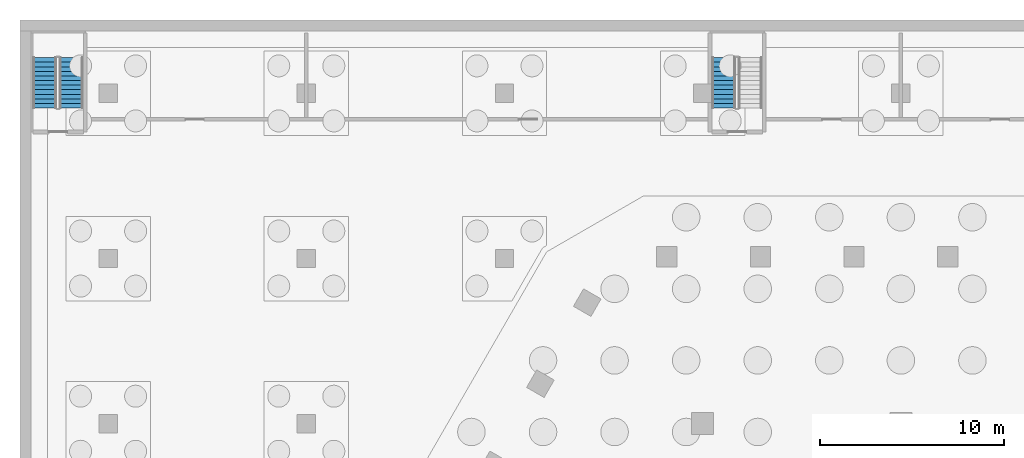
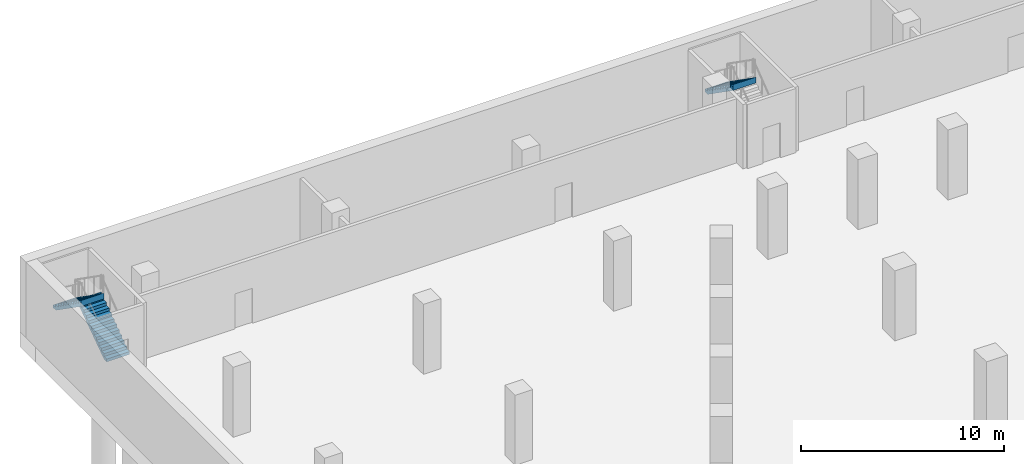
# One storey, part 14 of 21: 3 stair flights, 2 elements without a shape of their own.
"""IFC4 building model written with IfcOpenShell, lengths in metres."""

import ifcopenshell
import ifcopenshell.guid

model = None  # the IFC model being written
_history = None  # IfcOwnerHistory: only IFC2X3 demands one
_inside = {}  # id of a spatial element -> (the spatial element, [elements in it])
_under = {}  # id of a project, library or spatial element -> (it, [spatial elements below it])
_declared = {}  # id of a project -> (the project, [libraries it declares])
_typed = {}  # id of a type object -> (the type object, [elements of that type])
_made_of = {}  # id of a material, layer set ... -> (it, [elements and type objects made of it])


def new_model(schema):
    """Start an empty IFC model of exactly this schema.

    Asked for "IFC4X3", IfcOpenShell would pick the latest addendum, in which some entities
    have other attributes; the version numbers below select the first issue.
    IFC2X3 requires an IfcOwnerHistory on every rooted entity: one is made here for all.
    """
    global model, _history
    if schema == "IFC4X3":
        model = ifcopenshell.file(schema_version=(4, 3, 0, 0))
    else:
        model = ifcopenshell.file(schema=schema)
    _inside.clear()
    _under.clear()
    _declared.clear()
    _typed.clear()
    _made_of.clear()
    _history = None
    if model.schema == "IFC2X3":
        org = make("IfcOrganization", Name="unknown")
        user = make(
            "IfcPersonAndOrganization",
            ThePerson=make("IfcPerson", FamilyName="unknown"),
            TheOrganization=org,
        )
        app = make(
            "IfcApplication",
            ApplicationDeveloper=org,
            Version="unknown",
            ApplicationFullName="unknown",
            ApplicationIdentifier="unknown",
        )
        _history = make(
            "IfcOwnerHistory",
            OwningUser=user,
            OwningApplication=app,
            ChangeAction="ADDED",
            CreationDate=0,
        )
    return model


def make(cls, **values):
    """One entity of the class cls with the attributes given. An attribute that is None is left unset."""
    return model.create_entity(
        cls, **{name: value for name, value in values.items() if value is not None}
    )


def rooted(cls, **values):
    """An entity with a GlobalId (a new one), such as an element, a storey or a relation."""
    return make(cls, GlobalId=ifcopenshell.guid.new(), OwnerHistory=_history, **values)


def si_unit(unit_type, name, prefix=None):
    """IfcSIUnit, for example si_unit("LENGTHUNIT", "METRE", prefix="MILLI")."""
    return make("IfcSIUnit", UnitType=unit_type, Prefix=prefix, Name=name)


def assignment(units):
    """IfcUnitAssignment: the units of a project."""
    return None if units is None else make("IfcUnitAssignment", Units=units)


def point(xyz):
    """IfcCartesianPoint."""
    return None if xyz is None else make("IfcCartesianPoint", Coordinates=xyz)


def direction(xyz):
    """IfcDirection."""
    return None if xyz is None else make("IfcDirection", DirectionRatios=xyz)


def frame(location, z_axis=None, x_axis=None):
    """IfcAxis2Placement3D, a coordinate frame: its origin and axes. An axis left out is left unset."""
    return make(
        "IfcAxis2Placement3D",
        Location=point(location),
        Axis=direction(z_axis),
        RefDirection=direction(x_axis),
    )


def origin():
    """The frame at (0, 0, 0) with its axes left unset."""
    return frame((0.0, 0.0, 0.0))


def place(relative_to, where):
    """IfcLocalPlacement: puts the frame where relative to a parent placement (None: the world)."""
    return make(
        "IfcLocalPlacement", PlacementRelTo=relative_to, RelativePlacement=where
    )


def context(
    kind, dimensions, precision=None, world=None, true_north=None, identifier=None
):
    """IfcGeometricRepresentationContext, for example the 3D "Model" context."""
    return make(
        "IfcGeometricRepresentationContext",
        ContextIdentifier=identifier,
        ContextType=kind,
        CoordinateSpaceDimension=dimensions,
        Precision=precision,
        WorldCoordinateSystem=world,
        TrueNorth=true_north,
    )


def subcontext(parent, identifier, kind, view, scale=None):
    """IfcGeometricRepresentationSubContext, for example "Body" below "Model"."""
    return make(
        "IfcGeometricRepresentationSubContext",
        ContextIdentifier=identifier,
        ContextType=kind,
        ParentContext=parent,
        TargetScale=scale,
        TargetView=view,
    )


def project(units=None, contexts=None):
    """IfcProject with its units and contexts."""
    return rooted(
        "IfcProject",
        Name="project",
        RepresentationContexts=contexts,
        UnitsInContext=assignment(units),
    )


def spatial(cls, under=None, at=None, **own):
    """A site, building, storey or space (cls), placed at a placement, below another one or the project."""
    s = rooted(cls, ObjectPlacement=at, **own)
    if under is not None:
        _under.setdefault(under.id(), (under, []))[1].append(s)
    return s


def point_list(points):
    """IfcCartesianPointList2D or 3D."""
    cls = (
        "IfcCartesianPointList2D" if len(points[0]) == 2 else "IfcCartesianPointList3D"
    )
    return make(cls, CoordList=points)


def triangles(points, corners, closed=None, point_numbers=None):
    """IfcTriangulatedFaceSet: each triangle names its three corners, points numbered from 1."""
    return make(
        "IfcTriangulatedFaceSet",
        Coordinates=point_list(points),
        Closed=closed,
        CoordIndex=corners,
        PnIndex=point_numbers,
    )


def shape(context_of_items, identifier, shape_type, items):
    """IfcShapeRepresentation: the items that make up one representation, for example the "Body"."""
    return make(
        "IfcShapeRepresentation",
        ContextOfItems=context_of_items,
        RepresentationIdentifier=identifier,
        RepresentationType=shape_type,
        Items=items,
    )


def material(Name=None, Category=None):
    """IfcMaterial."""
    return make("IfcMaterial", Name=Name, Category=Category)


def made_of(thing, what):
    """Note that an element or type object is made of a material, layer set ...; save() writes the relation."""
    if what is not None:
        _made_of.setdefault(what.id(), (what, []))[1].append(thing)
    return thing


def type_object(cls, material=None, **own):
    """A type object (cls), such as IfcWallType, which elements share."""
    return made_of(rooted(cls, **own), material)


def element(
    cls,
    number,
    at=None,
    inside=None,
    cuts=None,
    type_object=None,
    material=None,
    context=None,
    identifier="Body",
    shape_type=None,
    held_by="IfcProductDefinitionShape",
    body=None,
    shapes=None,
    **own,
):
    """One element of the class cls, such as IfcWall. Its Tag is "e" and its number.

    at: its placement. inside: the storey or other place that contains it. cuts: it is an
    opening in that element (IfcRelVoidsElement). A single representation is given by context,
    identifier, shape_type and body (its items); several are given by shapes. held_by: the class
    of the entity that holds the representations. save() writes the other relations.
    """
    e = rooted(cls, Tag="e%d" % number, ObjectPlacement=at, **own)
    if body is not None:
        shapes = [shape(context, identifier, shape_type, body)]
    if shapes is not None:
        e.Representation = make(held_by, Representations=shapes)
    if inside is not None:
        _inside.setdefault(inside.id(), (inside, []))[1].append(e)
    if cuts is not None:
        rooted(
            "IfcRelVoidsElement", RelatingBuildingElement=cuts, RelatedOpeningElement=e
        )
    if type_object is not None:
        _typed.setdefault(type_object.id(), (type_object, []))[1].append(e)
    return made_of(e, material)


def aggregate(whole, parts):
    """IfcRelAggregates: a whole, such as a stair, and the parts it consists of."""
    return rooted("IfcRelAggregates", RelatingObject=whole, RelatedObjects=parts)


def save(model, path):
    """Write the relations noted so far, then the file.

    IfcRelAggregates (storeys below a building ...), IfcRelContainedInSpatialStructure (elements
    in a storey), IfcRelDefinesByType, IfcRelAssociatesMaterial and IfcRelDeclares: one each for
    every whole, place, type object, material and project.
    """
    for whole, parts in _under.values():
        aggregate(whole, parts)
    for where, things in _inside.values():
        rooted(
            "IfcRelContainedInSpatialStructure",
            RelatedElements=things,
            RelatingStructure=where,
        )
    for kind, things in _typed.values():
        rooted("IfcRelDefinesByType", RelatedObjects=things, RelatingType=kind)
    for what, things in _made_of.values():
        rooted("IfcRelAssociatesMaterial", RelatedObjects=things, RelatingMaterial=what)
    for by, libraries in _declared.values():
        rooted("IfcRelDeclares", RelatingContext=by, RelatedDefinitions=libraries)
    model.write(path)


model = new_model("IFC4")

# Units and contexts
model_context = context("Model", 3, precision=1e-05, world=origin(), true_north=direction((0.0, 1.0)))
body_context = subcontext(model_context, "Body", "Model", "MODEL_VIEW")
ifc_project = project(units=[si_unit("LENGTHUNIT", "METRE"), si_unit("AREAUNIT", "SQUARE_METRE"), si_unit("VOLUMEUNIT", "CUBIC_METRE"), si_unit("PLANEANGLEUNIT", "RADIAN"), si_unit("MASSUNIT", "GRAM", prefix="KILO")], contexts=[model_context])

# Site, building, storey
site_placement = place(None, origin())
site = spatial("IfcSite", under=ifc_project, at=site_placement, CompositionType="ELEMENT")
building_placement = place(site_placement, origin())
building = spatial("IfcBuilding", under=site, at=building_placement, Name="Beryl Residences", CompositionType="ELEMENT")
storey_placement = place(building_placement, frame((0.0, 0.0, -8.39990234375)))
storey = spatial("IfcBuildingStorey", under=building, at=storey_placement, Name="B2", CompositionType="ELEMENT", Elevation=-8.39990234375)

# Stair, stair flights
ifc_material_1 = material(Name="Concrete C40/50", Category="concrete")
stair_type = type_object("IfcStairType", Name="ST1 protected exit stair, half-turn, 1300 mm flights", PredefinedType="HALF_TURN_STAIR", material=ifc_material_1)
stair_1_placement = place(storey_placement, origin())
stair_1 = element("IfcStair", 1, at=stair_1_placement, inside=storey, type_object=stair_type, Name="B2 Basement exit stair 1", PredefinedType="HALF_TURN_STAIR")
ifc_material_2 = material(Name="Concrete C40/50", Category="concrete")
stair_flight_type = type_object("IfcStairFlightType", Name="SF1 stair flight 1300 mm", PredefinedType="STRAIGHT", material=ifc_material_2)
stair_flight_1_placement = place(storey_placement, frame((-45.199951171875, 35.199951171875, 0.0), z_axis=(0.0, 0.0, 1.0), x_axis=(0.0, 1.0, 0.0)))
stair_flight_1 = element("IfcStairFlight", 2, at=stair_flight_1_placement, type_object=stair_flight_type, Name="BS-1 flight 1", NumberOfRisers=12, NumberOfTreads=11, PredefinedType="STRAIGHT", RiserHeight=0.175, TreadLength=0.25, context=body_context, shape_type="Tessellation", body=[
    triangles([(0.0, -0.64990234375, 0.0), (0.0, -0.324951171875, 0.0), (0.0, 0.0, 0.0), (0.0, 0.324951171875, 0.0), (0.0, 0.64990234375, 0.0), (0.0, -0.64990234375, 0.175048828125), (0.0, -0.324951171875, 0.175048828125), (0.0, 0.0, 0.175048828125), (0.0, 0.324951171875, 0.175048828125), (0.0, 0.64990234375, 0.175048828125), (0.25, -0.64990234375, 0.175048828125), (0.25, -0.324951171875, 0.175048828125), (0.25, 0.0, 0.175048828125), (0.25, 0.324951171875, 0.175048828125), (0.25, 0.64990234375, 0.175048828125), (0.25, -0.64990234375, 0.35009765625), (0.25, -0.324951171875, 0.35009765625), (0.25, 0.0, 0.35009765625), (0.25, 0.324951171875, 0.35009765625), (0.25, 0.64990234375, 0.35009765625), (0.5, -0.64990234375, 0.35009765625), (0.5, -0.324951171875, 0.35009765625), (0.5, 0.0, 0.35009765625), (0.5, 0.324951171875, 0.35009765625), (0.5, 0.64990234375, 0.35009765625), (0.5, -0.64990234375, 0.52490234375), (0.5, -0.324951171875, 0.52490234375), (0.5, 0.0, 0.52490234375), (0.5, 0.324951171875, 0.52490234375), (0.5, 0.64990234375, 0.52490234375), (0.75, -0.64990234375, 0.52490234375), (0.75, -0.324951171875, 0.52490234375), (0.75, 0.0, 0.52490234375), (0.75, 0.324951171875, 0.52490234375), (0.75, 0.64990234375, 0.52490234375), (0.75, -0.64990234375, 0.699951171875), (0.75, -0.324951171875, 0.699951171875), (0.75, 0.0, 0.699951171875), (0.75, 0.324951171875, 0.699951171875), (0.75, 0.64990234375, 0.699951171875), (1.0, -0.64990234375, 0.699951171875), (1.0, -0.324951171875, 0.699951171875), (1.0, 0.0, 0.699951171875), (1.0, 0.324951171875, 0.699951171875), (1.0, 0.64990234375, 0.699951171875), (1.0, -0.64990234375, 0.875), (1.0, -0.324951171875, 0.875), (1.0, 0.0, 0.875), (1.0, 0.324951171875, 0.875), (1.0, 0.64990234375, 0.875), (1.25, -0.64990234375, 0.875), (1.25, -0.324951171875, 0.875), (1.25, 0.0, 0.875), (1.25, 0.324951171875, 0.875), (1.25, 0.64990234375, 0.875), (1.25, -0.64990234375, 1.050048828125), (1.25, -0.324951171875, 1.050048828125), (1.25, 0.0, 1.050048828125), (1.25, 0.324951171875, 1.050048828125), (1.25, 0.64990234375, 1.050048828125), (1.5, -0.64990234375, 1.050048828125), (1.5, -0.324951171875, 1.050048828125), (1.5, 0.0, 1.050048828125), (1.5, 0.324951171875, 1.050048828125), (1.5, 0.64990234375, 1.050048828125), (1.5, -0.64990234375, 1.22509765625), (1.5, -0.324951171875, 1.22509765625), (1.5, 0.0, 1.22509765625), (1.5, 0.324951171875, 1.22509765625), (1.5, 0.64990234375, 1.22509765625), (1.75, -0.64990234375, 1.22509765625), (1.75, -0.324951171875, 1.22509765625), (1.75, 0.0, 1.22509765625), (1.75, 0.324951171875, 1.22509765625), (1.75, 0.64990234375, 1.22509765625), (1.75, -0.64990234375, 1.39990234375), (1.75, -0.324951171875, 1.39990234375), (1.75, 0.0, 1.39990234375), (1.75, 0.324951171875, 1.39990234375), (1.75, 0.64990234375, 1.39990234375), (2.0, -0.64990234375, 1.39990234375), (2.0, -0.324951171875, 1.39990234375), (2.0, 0.0, 1.39990234375), (2.0, 0.324951171875, 1.39990234375), (2.0, 0.64990234375, 1.39990234375), (2.0, -0.64990234375, 1.574951171875), (2.0, -0.324951171875, 1.574951171875), (2.0, 0.0, 1.574951171875), (2.0, 0.324951171875, 1.574951171875), (2.0, 0.64990234375, 1.574951171875), (2.25, -0.64990234375, 1.574951171875), (2.25, -0.324951171875, 1.574951171875), (2.25, 0.0, 1.574951171875), (2.25, 0.324951171875, 1.574951171875), (2.25, 0.64990234375, 1.574951171875), (2.25, -0.64990234375, 1.75), (2.25, -0.324951171875, 1.75), (2.25, 0.0, 1.75), (2.25, 0.324951171875, 1.75), (2.25, 0.64990234375, 1.75), (2.5, -0.64990234375, 1.75), (2.5, -0.324951171875, 1.75), (2.5, 0.0, 1.75), (2.5, 0.324951171875, 1.75), (2.5, 0.64990234375, 1.75), (2.5, -0.64990234375, 1.925048828125), (2.5, -0.324951171875, 1.925048828125), (2.5, 0.0, 1.925048828125), (2.5, 0.324951171875, 1.925048828125), (2.5, 0.64990234375, 1.925048828125), (2.75, -0.64990234375, 1.925048828125), (2.75, -0.324951171875, 1.925048828125), (2.75, 0.0, 1.925048828125), (2.75, 0.324951171875, 1.925048828125), (2.75, 0.64990234375, 1.925048828125), (2.75, -0.64990234375, 2.10009765625), (2.75, -0.324951171875, 2.10009765625), (2.75, 0.0, 2.10009765625), (2.75, 0.324951171875, 2.10009765625), (2.75, 0.64990234375, 2.10009765625), (2.7509765625, -0.64990234375, 2.10009765625), (2.7509765625, -0.324951171875, 2.10009765625), (2.7509765625, 0.0, 2.10009765625), (2.7509765625, 0.324951171875, 2.10009765625), (2.7509765625, 0.64990234375, 2.10009765625), (2.7509765625, -0.64990234375, 1.741943359375), (2.7509765625, -0.324951171875, 1.741943359375), (2.7509765625, 0.0, 1.741943359375), (2.7509765625, 0.324951171875, 1.741943359375), (2.7509765625, 0.64990234375, 1.741943359375), (0.262451171875, -0.64990234375, 0.0), (0.262451171875, -0.324951171875, 0.0), (0.262451171875, 0.0, 0.0), (0.262451171875, 0.324951171875, 0.0), (0.262451171875, 0.64990234375, 0.0)], [[1, 6, 7], [1, 7, 2], [2, 7, 8], [2, 8, 3], [3, 8, 9], [3, 9, 4], [4, 9, 10], [4, 10, 5], [6, 11, 12], [6, 12, 7], [7, 12, 13], [7, 13, 8], [8, 13, 14], [8, 14, 9], [9, 14, 15], [9, 15, 10], [11, 16, 17], [11, 17, 12], [12, 17, 18], [12, 18, 13], [13, 18, 19], [13, 19, 14], [14, 19, 20], [14, 20, 15], [16, 21, 22], [16, 22, 17], [17, 22, 23], [17, 23, 18], [18, 23, 24], [18, 24, 19], [19, 24, 25], [19, 25, 20], [21, 26, 27], [21, 27, 22], [22, 27, 28], [22, 28, 23], [23, 28, 29], [23, 29, 24], [24, 29, 30], [24, 30, 25], [26, 31, 32], [26, 32, 27], [27, 32, 33], [27, 33, 28], [28, 33, 34], [28, 34, 29], [29, 34, 35], [29, 35, 30], [31, 36, 37], [31, 37, 32], [32, 37, 38], [32, 38, 33], [33, 38, 39], [33, 39, 34], [34, 39, 40], [34, 40, 35], [36, 41, 42], [36, 42, 37], [37, 42, 43], [37, 43, 38], [38, 43, 44], [38, 44, 39], [39, 44, 45], [39, 45, 40], [41, 46, 47], [41, 47, 42], [42, 47, 48], [42, 48, 43], [43, 48, 49], [43, 49, 44], [44, 49, 50], [44, 50, 45], [46, 51, 52], [46, 52, 47], [47, 52, 53], [47, 53, 48], [48, 53, 54], [48, 54, 49], [49, 54, 55], [49, 55, 50], [51, 56, 57], [51, 57, 52], [52, 57, 58], [52, 58, 53], [53, 58, 59], [53, 59, 54], [54, 59, 60], [54, 60, 55], [56, 61, 62], [56, 62, 57], [57, 62, 63], [57, 63, 58], [58, 63, 64], [58, 64, 59], [59, 64, 65], [59, 65, 60], [61, 66, 67], [61, 67, 62], [62, 67, 68], [62, 68, 63], [63, 68, 69], [63, 69, 64], [64, 69, 70], [64, 70, 65], [66, 71, 72], [66, 72, 67], [67, 72, 73], [67, 73, 68], [68, 73, 74], [68, 74, 69], [69, 74, 75], [69, 75, 70], [71, 76, 77], [71, 77, 72], [72, 77, 78], [72, 78, 73], [73, 78, 79], [73, 79, 74], [74, 79, 80], [74, 80, 75], [76, 81, 82], [76, 82, 77], [77, 82, 83], [77, 83, 78], [78, 83, 84], [78, 84, 79], [79, 84, 85], [79, 85, 80], [81, 86, 87], [81, 87, 82], [82, 87, 88], [82, 88, 83], [83, 88, 89], [83, 89, 84], [84, 89, 90], [84, 90, 85], [86, 91, 92], [86, 92, 87], [87, 92, 93], [87, 93, 88], [88, 93, 94], [88, 94, 89], [89, 94, 95], [89, 95, 90], [91, 96, 97], [91, 97, 92], [92, 97, 98], [92, 98, 93], [93, 98, 99], [93, 99, 94], [94, 99, 100], [94, 100, 95], [96, 101, 102], [96, 102, 97], [97, 102, 103], [97, 103, 98], [98, 103, 104], [98, 104, 99], [99, 104, 105], [99, 105, 100], [101, 106, 107], [101, 107, 102], [102, 107, 108], [102, 108, 103], [103, 108, 109], [103, 109, 104], [104, 109, 110], [104, 110, 105], [106, 111, 112], [106, 112, 107], [107, 112, 113], [107, 113, 108], [108, 113, 114], [108, 114, 109], [109, 114, 115], [109, 115, 110], [111, 116, 117], [111, 117, 112], [112, 117, 118], [112, 118, 113], [113, 118, 119], [113, 119, 114], [114, 119, 120], [114, 120, 115], [116, 121, 122], [116, 122, 117], [117, 122, 123], [117, 123, 118], [118, 123, 124], [118, 124, 119], [119, 124, 125], [119, 125, 120], [121, 126, 127], [121, 127, 122], [122, 127, 128], [122, 128, 123], [123, 128, 129], [123, 129, 124], [124, 129, 130], [124, 130, 125], [126, 131, 132], [126, 132, 127], [127, 132, 133], [127, 133, 128], [128, 133, 134], [128, 134, 129], [129, 134, 135], [129, 135, 130], [131, 1, 2], [131, 2, 132], [132, 2, 3], [132, 3, 133], [133, 3, 4], [133, 4, 134], [134, 4, 5], [134, 5, 135], [1, 131, 126], [5, 130, 135], [126, 121, 116], [130, 120, 125], [126, 116, 111], [130, 115, 120], [126, 111, 106], [130, 110, 115], [126, 106, 101], [130, 105, 110], [126, 101, 96], [130, 100, 105], [126, 96, 91], [130, 95, 100], [91, 86, 81], [95, 85, 90], [126, 91, 81], [130, 85, 95], [81, 76, 71], [85, 75, 80], [126, 81, 71], [130, 75, 85], [71, 66, 61], [75, 65, 70], [126, 71, 61], [130, 65, 75], [61, 56, 51], [65, 55, 60], [126, 61, 51], [130, 55, 65], [51, 46, 41], [55, 45, 50], [126, 51, 41], [130, 45, 55], [41, 36, 31], [45, 35, 40], [126, 41, 31], [130, 35, 45], [1, 126, 31], [5, 35, 130], [31, 26, 21], [35, 25, 30], [21, 16, 11], [25, 15, 20], [31, 21, 11], [35, 15, 25], [1, 31, 11], [5, 15, 35], [11, 6, 1], [15, 5, 10]], closed=True),
])
stair_flight_2_placement = place(storey_placement, frame((-46.64990234375, 37.949951171875, 2.099853515625), z_axis=(0.0, 0.0, 1.0), x_axis=(0.0, -1.0, 0.0)))
stair_flight_2 = element("IfcStairFlight", 3, at=stair_flight_2_placement, type_object=stair_flight_type, Name="BS-1 flight 2", NumberOfRisers=12, NumberOfTreads=11, PredefinedType="STRAIGHT", RiserHeight=0.175, TreadLength=0.25, context=body_context, shape_type="Tessellation", body=[
    triangles([(0.0, -0.64990234375, 0.0), (0.0, -0.324951171875, 0.0), (0.0, 0.0, 0.0), (0.0, 0.324951171875, 0.0), (0.0, 0.64990234375, 0.0), (0.0, -0.64990234375, 0.175048828125), (0.0, -0.324951171875, 0.175048828125), (0.0, 0.0, 0.175048828125), (0.0, 0.324951171875, 0.175048828125), (0.0, 0.64990234375, 0.175048828125), (0.25, -0.64990234375, 0.175048828125), (0.25, -0.324951171875, 0.175048828125), (0.25, 0.0, 0.175048828125), (0.25, 0.324951171875, 0.175048828125), (0.25, 0.64990234375, 0.175048828125), (0.25, -0.64990234375, 0.35009765625), (0.25, -0.324951171875, 0.35009765625), (0.25, 0.0, 0.35009765625), (0.25, 0.324951171875, 0.35009765625), (0.25, 0.64990234375, 0.35009765625), (0.5, -0.64990234375, 0.35009765625), (0.5, -0.324951171875, 0.35009765625), (0.5, 0.0, 0.35009765625), (0.5, 0.324951171875, 0.35009765625), (0.5, 0.64990234375, 0.35009765625), (0.5, -0.64990234375, 0.52490234375), (0.5, -0.324951171875, 0.52490234375), (0.5, 0.0, 0.52490234375), (0.5, 0.324951171875, 0.52490234375), (0.5, 0.64990234375, 0.52490234375), (0.75, -0.64990234375, 0.52490234375), (0.75, -0.324951171875, 0.52490234375), (0.75, 0.0, 0.52490234375), (0.75, 0.324951171875, 0.52490234375), (0.75, 0.64990234375, 0.52490234375), (0.75, -0.64990234375, 0.699951171875), (0.75, -0.324951171875, 0.699951171875), (0.75, 0.0, 0.699951171875), (0.75, 0.324951171875, 0.699951171875), (0.75, 0.64990234375, 0.699951171875), (1.0, -0.64990234375, 0.699951171875), (1.0, -0.324951171875, 0.699951171875), (1.0, 0.0, 0.699951171875), (1.0, 0.324951171875, 0.699951171875), (1.0, 0.64990234375, 0.699951171875), (1.0, -0.64990234375, 0.875), (1.0, -0.324951171875, 0.875), (1.0, 0.0, 0.875), (1.0, 0.324951171875, 0.875), (1.0, 0.64990234375, 0.875), (1.25, -0.64990234375, 0.875), (1.25, -0.324951171875, 0.875), (1.25, 0.0, 0.875), (1.25, 0.324951171875, 0.875), (1.25, 0.64990234375, 0.875), (1.25, -0.64990234375, 1.050048828125), (1.25, -0.324951171875, 1.050048828125), (1.25, 0.0, 1.050048828125), (1.25, 0.324951171875, 1.050048828125), (1.25, 0.64990234375, 1.050048828125), (1.5, -0.64990234375, 1.050048828125), (1.5, -0.324951171875, 1.050048828125), (1.5, 0.0, 1.050048828125), (1.5, 0.324951171875, 1.050048828125), (1.5, 0.64990234375, 1.050048828125), (1.5, -0.64990234375, 1.22509765625), (1.5, -0.324951171875, 1.22509765625), (1.5, 0.0, 1.22509765625), (1.5, 0.324951171875, 1.22509765625), (1.5, 0.64990234375, 1.22509765625), (1.75, -0.64990234375, 1.22509765625), (1.75, -0.324951171875, 1.22509765625), (1.75, 0.0, 1.22509765625), (1.75, 0.324951171875, 1.22509765625), (1.75, 0.64990234375, 1.22509765625), (1.75, -0.64990234375, 1.39990234375), (1.75, -0.324951171875, 1.39990234375), (1.75, 0.0, 1.39990234375), (1.75, 0.324951171875, 1.39990234375), (1.75, 0.64990234375, 1.39990234375), (2.0, -0.64990234375, 1.39990234375), (2.0, -0.324951171875, 1.39990234375), (2.0, 0.0, 1.39990234375), (2.0, 0.324951171875, 1.39990234375), (2.0, 0.64990234375, 1.39990234375), (2.0, -0.64990234375, 1.574951171875), (2.0, -0.324951171875, 1.574951171875), (2.0, 0.0, 1.574951171875), (2.0, 0.324951171875, 1.574951171875), (2.0, 0.64990234375, 1.574951171875), (2.25, -0.64990234375, 1.574951171875), (2.25, -0.324951171875, 1.574951171875), (2.25, 0.0, 1.574951171875), (2.25, 0.324951171875, 1.574951171875), (2.25, 0.64990234375, 1.574951171875), (2.25, -0.64990234375, 1.75), (2.25, -0.324951171875, 1.75), (2.25, 0.0, 1.75), (2.25, 0.324951171875, 1.75), (2.25, 0.64990234375, 1.75), (2.5, -0.64990234375, 1.75), (2.5, -0.324951171875, 1.75), (2.5, 0.0, 1.75), (2.5, 0.324951171875, 1.75), (2.5, 0.64990234375, 1.75), (2.5, -0.64990234375, 1.925048828125), (2.5, -0.324951171875, 1.925048828125), (2.5, 0.0, 1.925048828125), (2.5, 0.324951171875, 1.925048828125), (2.5, 0.64990234375, 1.925048828125), (2.75, -0.64990234375, 1.925048828125), (2.75, -0.324951171875, 1.925048828125), (2.75, 0.0, 1.925048828125), (2.75, 0.324951171875, 1.925048828125), (2.75, 0.64990234375, 1.925048828125), (2.75, -0.64990234375, 2.10009765625), (2.75, -0.324951171875, 2.10009765625), (2.75, 0.0, 2.10009765625), (2.75, 0.324951171875, 2.10009765625), (2.75, 0.64990234375, 2.10009765625), (2.7509765625, -0.64990234375, 2.10009765625), (2.7509765625, -0.324951171875, 2.10009765625), (2.7509765625, 0.0, 2.10009765625), (2.7509765625, 0.324951171875, 2.10009765625), (2.7509765625, 0.64990234375, 2.10009765625), (2.7509765625, -0.64990234375, 1.741943359375), (2.7509765625, -0.324951171875, 1.741943359375), (2.7509765625, 0.0, 1.741943359375), (2.7509765625, 0.324951171875, 1.741943359375), (2.7509765625, 0.64990234375, 1.741943359375), (0.262451171875, -0.64990234375, 0.0), (0.262451171875, -0.324951171875, 0.0), (0.262451171875, 0.0, 0.0), (0.262451171875, 0.324951171875, 0.0), (0.262451171875, 0.64990234375, 0.0)], [[1, 6, 7], [1, 7, 2], [2, 7, 8], [2, 8, 3], [3, 8, 9], [3, 9, 4], [4, 9, 10], [4, 10, 5], [6, 11, 12], [6, 12, 7], [7, 12, 13], [7, 13, 8], [8, 13, 14], [8, 14, 9], [9, 14, 15], [9, 15, 10], [11, 16, 17], [11, 17, 12], [12, 17, 18], [12, 18, 13], [13, 18, 19], [13, 19, 14], [14, 19, 20], [14, 20, 15], [16, 21, 22], [16, 22, 17], [17, 22, 23], [17, 23, 18], [18, 23, 24], [18, 24, 19], [19, 24, 25], [19, 25, 20], [21, 26, 27], [21, 27, 22], [22, 27, 28], [22, 28, 23], [23, 28, 29], [23, 29, 24], [24, 29, 30], [24, 30, 25], [26, 31, 32], [26, 32, 27], [27, 32, 33], [27, 33, 28], [28, 33, 34], [28, 34, 29], [29, 34, 35], [29, 35, 30], [31, 36, 37], [31, 37, 32], [32, 37, 38], [32, 38, 33], [33, 38, 39], [33, 39, 34], [34, 39, 40], [34, 40, 35], [36, 41, 42], [36, 42, 37], [37, 42, 43], [37, 43, 38], [38, 43, 44], [38, 44, 39], [39, 44, 45], [39, 45, 40], [41, 46, 47], [41, 47, 42], [42, 47, 48], [42, 48, 43], [43, 48, 49], [43, 49, 44], [44, 49, 50], [44, 50, 45], [46, 51, 52], [46, 52, 47], [47, 52, 53], [47, 53, 48], [48, 53, 54], [48, 54, 49], [49, 54, 55], [49, 55, 50], [51, 56, 57], [51, 57, 52], [52, 57, 58], [52, 58, 53], [53, 58, 59], [53, 59, 54], [54, 59, 60], [54, 60, 55], [56, 61, 62], [56, 62, 57], [57, 62, 63], [57, 63, 58], [58, 63, 64], [58, 64, 59], [59, 64, 65], [59, 65, 60], [61, 66, 67], [61, 67, 62], [62, 67, 68], [62, 68, 63], [63, 68, 69], [63, 69, 64], [64, 69, 70], [64, 70, 65], [66, 71, 72], [66, 72, 67], [67, 72, 73], [67, 73, 68], [68, 73, 74], [68, 74, 69], [69, 74, 75], [69, 75, 70], [71, 76, 77], [71, 77, 72], [72, 77, 78], [72, 78, 73], [73, 78, 79], [73, 79, 74], [74, 79, 80], [74, 80, 75], [76, 81, 82], [76, 82, 77], [77, 82, 83], [77, 83, 78], [78, 83, 84], [78, 84, 79], [79, 84, 85], [79, 85, 80], [81, 86, 87], [81, 87, 82], [82, 87, 88], [82, 88, 83], [83, 88, 89], [83, 89, 84], [84, 89, 90], [84, 90, 85], [86, 91, 92], [86, 92, 87], [87, 92, 93], [87, 93, 88], [88, 93, 94], [88, 94, 89], [89, 94, 95], [89, 95, 90], [91, 96, 97], [91, 97, 92], [92, 97, 98], [92, 98, 93], [93, 98, 99], [93, 99, 94], [94, 99, 100], [94, 100, 95], [96, 101, 102], [96, 102, 97], [97, 102, 103], [97, 103, 98], [98, 103, 104], [98, 104, 99], [99, 104, 105], [99, 105, 100], [101, 106, 107], [101, 107, 102], [102, 107, 108], [102, 108, 103], [103, 108, 109], [103, 109, 104], [104, 109, 110], [104, 110, 105], [106, 111, 112], [106, 112, 107], [107, 112, 113], [107, 113, 108], [108, 113, 114], [108, 114, 109], [109, 114, 115], [109, 115, 110], [111, 116, 117], [111, 117, 112], [112, 117, 118], [112, 118, 113], [113, 118, 119], [113, 119, 114], [114, 119, 120], [114, 120, 115], [116, 121, 122], [116, 122, 117], [117, 122, 123], [117, 123, 118], [118, 123, 124], [118, 124, 119], [119, 124, 125], [119, 125, 120], [121, 126, 127], [121, 127, 122], [122, 127, 128], [122, 128, 123], [123, 128, 129], [123, 129, 124], [124, 129, 130], [124, 130, 125], [126, 131, 132], [126, 132, 127], [127, 132, 133], [127, 133, 128], [128, 133, 134], [128, 134, 129], [129, 134, 135], [129, 135, 130], [131, 1, 2], [131, 2, 132], [132, 2, 3], [132, 3, 133], [133, 3, 4], [133, 4, 134], [134, 4, 5], [134, 5, 135], [1, 131, 126], [5, 130, 135], [126, 121, 116], [130, 120, 125], [126, 116, 111], [130, 115, 120], [126, 111, 106], [130, 110, 115], [126, 106, 101], [130, 105, 110], [126, 101, 96], [130, 100, 105], [126, 96, 91], [130, 95, 100], [91, 86, 81], [95, 85, 90], [126, 91, 81], [130, 85, 95], [81, 76, 71], [85, 75, 80], [126, 81, 71], [130, 75, 85], [71, 66, 61], [75, 65, 70], [126, 71, 61], [130, 65, 75], [61, 56, 51], [65, 55, 60], [126, 61, 51], [130, 55, 65], [51, 46, 41], [55, 45, 50], [126, 51, 41], [130, 45, 55], [41, 36, 31], [45, 35, 40], [126, 41, 31], [130, 35, 45], [1, 126, 31], [5, 35, 130], [31, 26, 21], [35, 25, 30], [21, 16, 11], [25, 15, 20], [31, 21, 11], [35, 15, 25], [1, 31, 11], [5, 15, 35], [11, 6, 1], [15, 5, 10]], closed=True),
])
aggregate(stair_1, [stair_flight_1, stair_flight_2])

# Stair, stair flight
stair_2_placement = place(storey_placement, origin())
stair_2 = element("IfcStair", 4, at=stair_2_placement, inside=storey, type_object=stair_type, Name="B2 Basement exit stair 2", PredefinedType="HALF_TURN_STAIR")
stair_flight_3_placement = place(storey_placement, frame((-9.64990234375, 37.949951171875, 2.099853515625), z_axis=(0.0, 0.0, 1.0), x_axis=(0.0, -1.0, 0.0)))
stair_flight_3 = element("IfcStairFlight", 5, at=stair_flight_3_placement, type_object=stair_flight_type, Name="BS-2 flight 2", NumberOfRisers=12, NumberOfTreads=11, PredefinedType="STRAIGHT", RiserHeight=0.175, TreadLength=0.25, context=body_context, shape_type="Tessellation", body=[
    triangles([(0.0, -0.64990234375, 0.0), (0.0, -0.324951171875, 0.0), (0.0, 0.0, 0.0), (0.0, 0.324951171875, 0.0), (0.0, 0.64990234375, 0.0), (0.0, -0.64990234375, 0.175048828125), (0.0, -0.324951171875, 0.175048828125), (0.0, 0.0, 0.175048828125), (0.0, 0.324951171875, 0.175048828125), (0.0, 0.64990234375, 0.175048828125), (0.25, -0.64990234375, 0.175048828125), (0.25, -0.324951171875, 0.175048828125), (0.25, 0.0, 0.175048828125), (0.25, 0.324951171875, 0.175048828125), (0.25, 0.64990234375, 0.175048828125), (0.25, -0.64990234375, 0.35009765625), (0.25, -0.324951171875, 0.35009765625), (0.25, 0.0, 0.35009765625), (0.25, 0.324951171875, 0.35009765625), (0.25, 0.64990234375, 0.35009765625), (0.5, -0.64990234375, 0.35009765625), (0.5, -0.324951171875, 0.35009765625), (0.5, 0.0, 0.35009765625), (0.5, 0.324951171875, 0.35009765625), (0.5, 0.64990234375, 0.35009765625), (0.5, -0.64990234375, 0.52490234375), (0.5, -0.324951171875, 0.52490234375), (0.5, 0.0, 0.52490234375), (0.5, 0.324951171875, 0.52490234375), (0.5, 0.64990234375, 0.52490234375), (0.75, -0.64990234375, 0.52490234375), (0.75, -0.324951171875, 0.52490234375), (0.75, 0.0, 0.52490234375), (0.75, 0.324951171875, 0.52490234375), (0.75, 0.64990234375, 0.52490234375), (0.75, -0.64990234375, 0.699951171875), (0.75, -0.324951171875, 0.699951171875), (0.75, 0.0, 0.699951171875), (0.75, 0.324951171875, 0.699951171875), (0.75, 0.64990234375, 0.699951171875), (1.0, -0.64990234375, 0.699951171875), (1.0, -0.324951171875, 0.699951171875), (1.0, 0.0, 0.699951171875), (1.0, 0.324951171875, 0.699951171875), (1.0, 0.64990234375, 0.699951171875), (1.0, -0.64990234375, 0.875), (1.0, -0.324951171875, 0.875), (1.0, 0.0, 0.875), (1.0, 0.324951171875, 0.875), (1.0, 0.64990234375, 0.875), (1.25, -0.64990234375, 0.875), (1.25, -0.324951171875, 0.875), (1.25, 0.0, 0.875), (1.25, 0.324951171875, 0.875), (1.25, 0.64990234375, 0.875), (1.25, -0.64990234375, 1.050048828125), (1.25, -0.324951171875, 1.050048828125), (1.25, 0.0, 1.050048828125), (1.25, 0.324951171875, 1.050048828125), (1.25, 0.64990234375, 1.050048828125), (1.5, -0.64990234375, 1.050048828125), (1.5, -0.324951171875, 1.050048828125), (1.5, 0.0, 1.050048828125), (1.5, 0.324951171875, 1.050048828125), (1.5, 0.64990234375, 1.050048828125), (1.5, -0.64990234375, 1.22509765625), (1.5, -0.324951171875, 1.22509765625), (1.5, 0.0, 1.22509765625), (1.5, 0.324951171875, 1.22509765625), (1.5, 0.64990234375, 1.22509765625), (1.75, -0.64990234375, 1.22509765625), (1.75, -0.324951171875, 1.22509765625), (1.75, 0.0, 1.22509765625), (1.75, 0.324951171875, 1.22509765625), (1.75, 0.64990234375, 1.22509765625), (1.75, -0.64990234375, 1.39990234375), (1.75, -0.324951171875, 1.39990234375), (1.75, 0.0, 1.39990234375), (1.75, 0.324951171875, 1.39990234375), (1.75, 0.64990234375, 1.39990234375), (2.0, -0.64990234375, 1.39990234375), (2.0, -0.324951171875, 1.39990234375), (2.0, 0.0, 1.39990234375), (2.0, 0.324951171875, 1.39990234375), (2.0, 0.64990234375, 1.39990234375), (2.0, -0.64990234375, 1.574951171875), (2.0, -0.324951171875, 1.574951171875), (2.0, 0.0, 1.574951171875), (2.0, 0.324951171875, 1.574951171875), (2.0, 0.64990234375, 1.574951171875), (2.25, -0.64990234375, 1.574951171875), (2.25, -0.324951171875, 1.574951171875), (2.25, 0.0, 1.574951171875), (2.25, 0.324951171875, 1.574951171875), (2.25, 0.64990234375, 1.574951171875), (2.25, -0.64990234375, 1.75), (2.25, -0.324951171875, 1.75), (2.25, 0.0, 1.75), (2.25, 0.324951171875, 1.75), (2.25, 0.64990234375, 1.75), (2.5, -0.64990234375, 1.75), (2.5, -0.324951171875, 1.75), (2.5, 0.0, 1.75), (2.5, 0.324951171875, 1.75), (2.5, 0.64990234375, 1.75), (2.5, -0.64990234375, 1.925048828125), (2.5, -0.324951171875, 1.925048828125), (2.5, 0.0, 1.925048828125), (2.5, 0.324951171875, 1.925048828125), (2.5, 0.64990234375, 1.925048828125), (2.75, -0.64990234375, 1.925048828125), (2.75, -0.324951171875, 1.925048828125), (2.75, 0.0, 1.925048828125), (2.75, 0.324951171875, 1.925048828125), (2.75, 0.64990234375, 1.925048828125), (2.75, -0.64990234375, 2.10009765625), (2.75, -0.324951171875, 2.10009765625), (2.75, 0.0, 2.10009765625), (2.75, 0.324951171875, 2.10009765625), (2.75, 0.64990234375, 2.10009765625), (2.7509765625, -0.64990234375, 2.10009765625), (2.7509765625, -0.324951171875, 2.10009765625), (2.7509765625, 0.0, 2.10009765625), (2.7509765625, 0.324951171875, 2.10009765625), (2.7509765625, 0.64990234375, 2.10009765625), (2.7509765625, -0.64990234375, 1.741943359375), (2.7509765625, -0.324951171875, 1.741943359375), (2.7509765625, 0.0, 1.741943359375), (2.7509765625, 0.324951171875, 1.741943359375), (2.7509765625, 0.64990234375, 1.741943359375), (0.262451171875, -0.64990234375, 0.0), (0.262451171875, -0.324951171875, 0.0), (0.262451171875, 0.0, 0.0), (0.262451171875, 0.324951171875, 0.0), (0.262451171875, 0.64990234375, 0.0)], [[1, 6, 7], [1, 7, 2], [2, 7, 8], [2, 8, 3], [3, 8, 9], [3, 9, 4], [4, 9, 10], [4, 10, 5], [6, 11, 12], [6, 12, 7], [7, 12, 13], [7, 13, 8], [8, 13, 14], [8, 14, 9], [9, 14, 15], [9, 15, 10], [11, 16, 17], [11, 17, 12], [12, 17, 18], [12, 18, 13], [13, 18, 19], [13, 19, 14], [14, 19, 20], [14, 20, 15], [16, 21, 22], [16, 22, 17], [17, 22, 23], [17, 23, 18], [18, 23, 24], [18, 24, 19], [19, 24, 25], [19, 25, 20], [21, 26, 27], [21, 27, 22], [22, 27, 28], [22, 28, 23], [23, 28, 29], [23, 29, 24], [24, 29, 30], [24, 30, 25], [26, 31, 32], [26, 32, 27], [27, 32, 33], [27, 33, 28], [28, 33, 34], [28, 34, 29], [29, 34, 35], [29, 35, 30], [31, 36, 37], [31, 37, 32], [32, 37, 38], [32, 38, 33], [33, 38, 39], [33, 39, 34], [34, 39, 40], [34, 40, 35], [36, 41, 42], [36, 42, 37], [37, 42, 43], [37, 43, 38], [38, 43, 44], [38, 44, 39], [39, 44, 45], [39, 45, 40], [41, 46, 47], [41, 47, 42], [42, 47, 48], [42, 48, 43], [43, 48, 49], [43, 49, 44], [44, 49, 50], [44, 50, 45], [46, 51, 52], [46, 52, 47], [47, 52, 53], [47, 53, 48], [48, 53, 54], [48, 54, 49], [49, 54, 55], [49, 55, 50], [51, 56, 57], [51, 57, 52], [52, 57, 58], [52, 58, 53], [53, 58, 59], [53, 59, 54], [54, 59, 60], [54, 60, 55], [56, 61, 62], [56, 62, 57], [57, 62, 63], [57, 63, 58], [58, 63, 64], [58, 64, 59], [59, 64, 65], [59, 65, 60], [61, 66, 67], [61, 67, 62], [62, 67, 68], [62, 68, 63], [63, 68, 69], [63, 69, 64], [64, 69, 70], [64, 70, 65], [66, 71, 72], [66, 72, 67], [67, 72, 73], [67, 73, 68], [68, 73, 74], [68, 74, 69], [69, 74, 75], [69, 75, 70], [71, 76, 77], [71, 77, 72], [72, 77, 78], [72, 78, 73], [73, 78, 79], [73, 79, 74], [74, 79, 80], [74, 80, 75], [76, 81, 82], [76, 82, 77], [77, 82, 83], [77, 83, 78], [78, 83, 84], [78, 84, 79], [79, 84, 85], [79, 85, 80], [81, 86, 87], [81, 87, 82], [82, 87, 88], [82, 88, 83], [83, 88, 89], [83, 89, 84], [84, 89, 90], [84, 90, 85], [86, 91, 92], [86, 92, 87], [87, 92, 93], [87, 93, 88], [88, 93, 94], [88, 94, 89], [89, 94, 95], [89, 95, 90], [91, 96, 97], [91, 97, 92], [92, 97, 98], [92, 98, 93], [93, 98, 99], [93, 99, 94], [94, 99, 100], [94, 100, 95], [96, 101, 102], [96, 102, 97], [97, 102, 103], [97, 103, 98], [98, 103, 104], [98, 104, 99], [99, 104, 105], [99, 105, 100], [101, 106, 107], [101, 107, 102], [102, 107, 108], [102, 108, 103], [103, 108, 109], [103, 109, 104], [104, 109, 110], [104, 110, 105], [106, 111, 112], [106, 112, 107], [107, 112, 113], [107, 113, 108], [108, 113, 114], [108, 114, 109], [109, 114, 115], [109, 115, 110], [111, 116, 117], [111, 117, 112], [112, 117, 118], [112, 118, 113], [113, 118, 119], [113, 119, 114], [114, 119, 120], [114, 120, 115], [116, 121, 122], [116, 122, 117], [117, 122, 123], [117, 123, 118], [118, 123, 124], [118, 124, 119], [119, 124, 125], [119, 125, 120], [121, 126, 127], [121, 127, 122], [122, 127, 128], [122, 128, 123], [123, 128, 129], [123, 129, 124], [124, 129, 130], [124, 130, 125], [126, 131, 132], [126, 132, 127], [127, 132, 133], [127, 133, 128], [128, 133, 134], [128, 134, 129], [129, 134, 135], [129, 135, 130], [131, 1, 2], [131, 2, 132], [132, 2, 3], [132, 3, 133], [133, 3, 4], [133, 4, 134], [134, 4, 5], [134, 5, 135], [1, 131, 126], [5, 130, 135], [126, 121, 116], [130, 120, 125], [126, 116, 111], [130, 115, 120], [126, 111, 106], [130, 110, 115], [126, 106, 101], [130, 105, 110], [126, 101, 96], [130, 100, 105], [126, 96, 91], [130, 95, 100], [91, 86, 81], [95, 85, 90], [126, 91, 81], [130, 85, 95], [81, 76, 71], [85, 75, 80], [126, 81, 71], [130, 75, 85], [71, 66, 61], [75, 65, 70], [126, 71, 61], [130, 65, 75], [61, 56, 51], [65, 55, 60], [126, 61, 51], [130, 55, 65], [51, 46, 41], [55, 45, 50], [126, 51, 41], [130, 45, 55], [41, 36, 31], [45, 35, 40], [126, 41, 31], [130, 35, 45], [1, 126, 31], [5, 35, 130], [31, 26, 21], [35, 25, 30], [21, 16, 11], [25, 15, 20], [31, 21, 11], [35, 15, 25], [1, 31, 11], [5, 15, 35], [11, 6, 1], [15, 5, 10]], closed=True),
])
aggregate(stair_2, [stair_flight_3])

save(model, "model.ifc")
